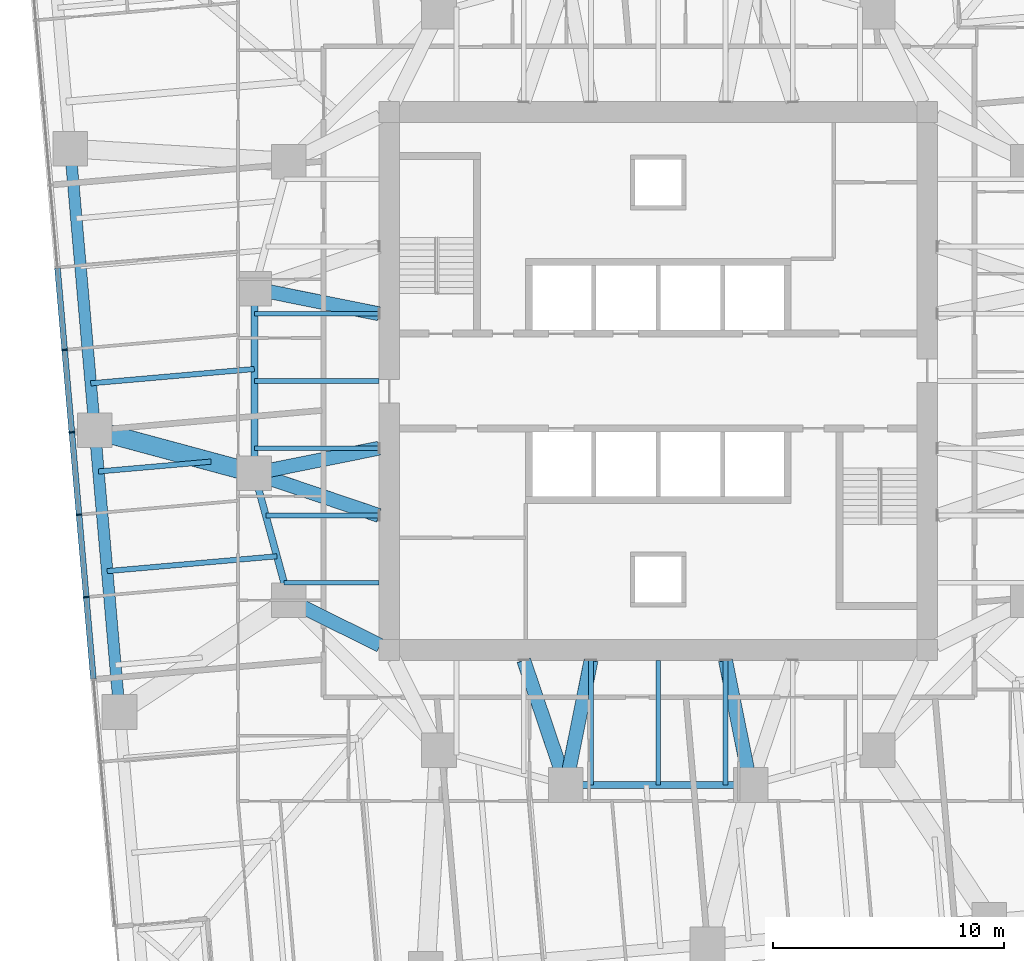
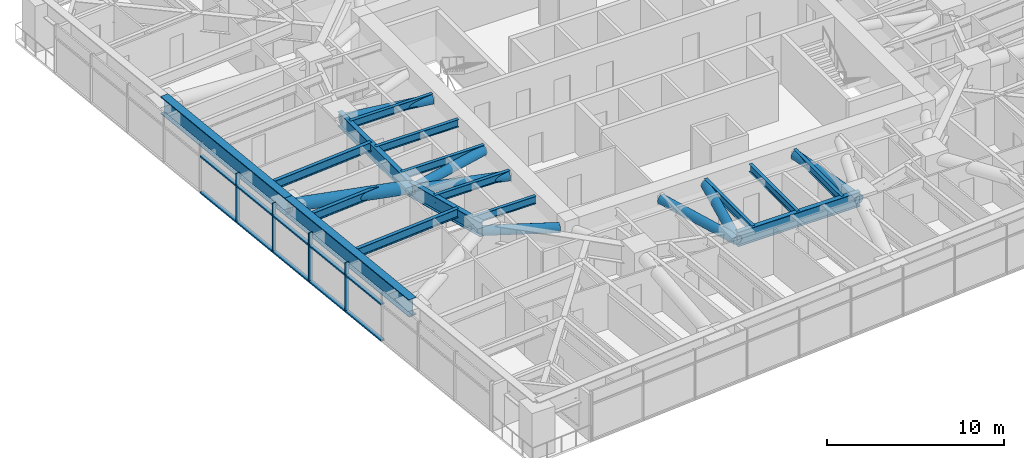
# One storey, part 3 of 18: 22 members, 16 beams, 1 element without a shape of its own.
"""IFC4 building model written with IfcOpenShell, lengths in metres."""

from ifc_helpers import new_model, si_unit, direction, frame, origin, origin_2d, place, context, subcontext, project, spatial, rectangle, hollow_circle, i_section, extrude, material, material_profile, profile_set, type_object, element, aggregate, save


model = new_model("IFC4")

# Units and contexts
model_context = context("Model", 3, precision=1e-05, world=origin(), true_north=direction((0.0, 1.0)))
body_context = subcontext(model_context, "Body", "Model", "MODEL_VIEW")
ifc_project = project(units=[si_unit("LENGTHUNIT", "METRE"), si_unit("AREAUNIT", "SQUARE_METRE"), si_unit("VOLUMEUNIT", "CUBIC_METRE"), si_unit("PLANEANGLEUNIT", "RADIAN"), si_unit("MASSUNIT", "GRAM", prefix="KILO")], contexts=[model_context])

# Site, building, storey
site_placement = place(None, origin())
site = spatial("IfcSite", under=ifc_project, at=site_placement, CompositionType="ELEMENT")
building_placement = place(site_placement, origin())
building = spatial("IfcBuilding", under=site, at=building_placement, Name="Torsade Residences", CompositionType="ELEMENT")
storey_placement = place(building_placement, frame((0.0, 0.0, 71.0)))
storey = spatial("IfcBuildingStorey", under=building, at=storey_placement, Name="L19", CompositionType="ELEMENT", Elevation=71.0)

# Curtain wall, members
ifc_material_1 = material(Name="Aluminium and glass", Category="aluminium")
curtain_wall_type = type_object("IfcCurtainWallType", Name="FRITTED GLASS CURTAIN WALL LOW ZONE", PredefinedType="NOTDEFINED", material=ifc_material_1)
curtain_wall_placement = place(storey_placement, origin())
curtain_wall = element("IfcCurtainWall", 1, at=curtain_wall_placement, inside=storey, type_object=curtain_wall_type, Name="Curtain wall L19 face 10", PredefinedType="NOTDEFINED")
ifc_material_2 = material(Name="Aluminium mullion", Category="aluminium")
ifc_material_profile_1 = material_profile(ifc_material_2, rectangle(XDim=0.25, YDim=0.06494140625, at=origin_2d()), Name="CURTAIN WALL MULLION 250x65")
ifc_profile_set_1 = profile_set([ifc_material_profile_1], Name="Aluminium mullion")
member_type_1 = type_object("IfcMemberType", Name="CURTAIN WALL MULLION 250x65", PredefinedType="MULLION", material=ifc_profile_set_1)
member_1_placement = place(storey_placement, frame((14.28466796875, 31.34716796875, 0.0), z_axis=(0.0, 0.0, 1.0), x_axis=(0.996194697964, 0.087155744208, 0.0)))
member_1 = element("IfcMember", 2, at=member_1_placement, type_object=member_type_1, Name="Mullion 6", PredefinedType="MULLION", context=body_context, shape_type="SweptSolid", body=[
    extrude(rectangle(XDim=0.25, YDim=0.06494140625, at=origin_2d()), origin(), (0.0, 0.0, 1.0), 3.39990234375),
])
member_2_placement = place(storey_placement, frame((14.596923828125, 27.777587890625, 0.0), z_axis=(0.0, 0.0, 1.0), x_axis=(0.996194697964, 0.087155744208, 0.0)))
member_2 = element("IfcMember", 3, at=member_2_placement, type_object=member_type_1, Name="Mullion 7", PredefinedType="MULLION", context=body_context, shape_type="SweptSolid", body=[
    extrude(rectangle(XDim=0.25, YDim=0.06494140625, at=origin_2d()), origin(), (0.0, 0.0, 1.0), 3.39990234375),
])
member_3_placement = place(storey_placement, frame((14.909423828125, 24.207763671875, 0.0), z_axis=(0.0, 0.0, 1.0), x_axis=(0.996194697964, 0.087155744208, 0.0)))
member_3 = element("IfcMember", 4, at=member_3_placement, type_object=member_type_1, Name="Mullion 8", PredefinedType="MULLION", context=body_context, shape_type="SweptSolid", body=[
    extrude(rectangle(XDim=0.25, YDim=0.06494140625, at=origin_2d()), origin(), (0.0, 0.0, 1.0), 3.39990234375),
])
member_4_placement = place(storey_placement, frame((15.2216796875, 20.63818359375, 0.0), z_axis=(0.0, 0.0, 1.0), x_axis=(0.996194697964, 0.087155744208, 0.0)))
member_4 = element("IfcMember", 5, at=member_4_placement, type_object=member_type_1, Name="Mullion 9", PredefinedType="MULLION", context=body_context, shape_type="SweptSolid", body=[
    extrude(rectangle(XDim=0.25, YDim=0.06494140625, at=origin_2d()), origin(), (0.0, 0.0, 1.0), 3.39990234375),
])
ifc_material_3 = material(Name="Aluminium transom", Category="aluminium")
ifc_material_profile_2 = material_profile(ifc_material_3, rectangle(XDim=0.25, YDim=0.10009765625, at=origin_2d()), Name="CURTAIN WALL TRANSOM 250x100")
ifc_profile_set_2 = profile_set([ifc_material_profile_2], Name="Aluminium transom")
member_type_2 = type_object("IfcMemberType", Name="CURTAIN WALL TRANSOM 250x100", PredefinedType="USERDEFINED", material=ifc_profile_set_2)
member_5_placement = place(storey_placement, frame((13.975341796875, 34.884521484375, 0.050048828125), z_axis=(0.087156620531, -0.996194621295, 0.0), x_axis=(0.996194621295, 0.087156620531, 0.0)))
member_5 = element("IfcMember", 6, at=member_5_placement, type_object=member_type_2, Name="Transom 5.1", ObjectType="TRANSOM", PredefinedType="USERDEFINED", context=body_context, shape_type="SweptSolid", body=[
    extrude(rectangle(XDim=0.25, YDim=0.10009765625, at=origin_2d()), origin(), (0.0, 0.0, 1.0), 3.518310546875),
])
member_6_placement = place(storey_placement, frame((13.975341796875, 34.884521484375, 2.550048828125), z_axis=(0.087156620531, -0.996194621295, 0.0), x_axis=(0.996194621295, 0.087156620531, 0.0)))
member_6 = element("IfcMember", 7, at=member_6_placement, type_object=member_type_2, Name="Transom 5.2", ObjectType="TRANSOM", PredefinedType="USERDEFINED", context=body_context, shape_type="SweptSolid", body=[
    extrude(rectangle(XDim=0.25, YDim=0.10009765625, at=origin_2d()), origin(), (0.0, 0.0, 1.0), 3.518310546875),
])
member_7_placement = place(storey_placement, frame((14.28759765625, 31.31494140625, 0.050048828125), z_axis=(0.08715059597, -0.996195148363, 0.0), x_axis=(0.996195148363, 0.08715059597, 0.0)))
member_7 = element("IfcMember", 8, at=member_7_placement, type_object=member_type_2, Name="Transom 6.1", ObjectType="TRANSOM", PredefinedType="USERDEFINED", context=body_context, shape_type="SweptSolid", body=[
    extrude(rectangle(XDim=0.25, YDim=0.10009765625, at=origin_2d()), origin(), (0.0, 0.0, 1.0), 3.5185546875),
])
member_8_placement = place(storey_placement, frame((14.28759765625, 31.31494140625, 2.550048828125), z_axis=(0.08715059597, -0.996195148363, 0.0), x_axis=(0.996195148363, 0.08715059597, 0.0)))
member_8 = element("IfcMember", 9, at=member_8_placement, type_object=member_type_2, Name="Transom 6.2", ObjectType="TRANSOM", PredefinedType="USERDEFINED", context=body_context, shape_type="SweptSolid", body=[
    extrude(rectangle(XDim=0.25, YDim=0.10009765625, at=origin_2d()), origin(), (0.0, 0.0, 1.0), 3.5185546875),
])
member_9_placement = place(storey_placement, frame((14.599853515625, 27.7451171875, 0.050048828125), z_axis=(0.087156620531, -0.996194621295, 0.0), x_axis=(0.996194621295, 0.087156620531, 0.0)))
member_9 = element("IfcMember", 10, at=member_9_placement, type_object=member_type_2, Name="Transom 7.1", ObjectType="TRANSOM", PredefinedType="USERDEFINED", context=body_context, shape_type="SweptSolid", body=[
    extrude(rectangle(XDim=0.25, YDim=0.10009765625, at=origin_2d()), origin(), (0.0, 0.0, 1.0), 3.518310546875),
])
member_10_placement = place(storey_placement, frame((14.599853515625, 27.7451171875, 2.550048828125), z_axis=(0.087156620531, -0.996194621295, 0.0), x_axis=(0.996194621295, 0.087156620531, 0.0)))
member_10 = element("IfcMember", 11, at=member_10_placement, type_object=member_type_2, Name="Transom 7.2", ObjectType="TRANSOM", PredefinedType="USERDEFINED", context=body_context, shape_type="SweptSolid", body=[
    extrude(rectangle(XDim=0.25, YDim=0.10009765625, at=origin_2d()), origin(), (0.0, 0.0, 1.0), 3.518310546875),
])
member_11_placement = place(storey_placement, frame((14.912109375, 24.175537109375, 0.050048828125), z_axis=(0.08715059597, -0.996195148363, 0.0), x_axis=(0.996195148363, 0.08715059597, 0.0)))
member_11 = element("IfcMember", 12, at=member_11_placement, type_object=member_type_2, Name="Transom 8.1", ObjectType="TRANSOM", PredefinedType="USERDEFINED", context=body_context, shape_type="SweptSolid", body=[
    extrude(rectangle(XDim=0.25, YDim=0.10009765625, at=origin_2d()), origin(), (0.0, 0.0, 1.0), 3.5185546875),
])
member_12_placement = place(storey_placement, frame((14.912109375, 24.175537109375, 2.550048828125), z_axis=(0.08715059597, -0.996195148363, 0.0), x_axis=(0.996195148363, 0.08715059597, 0.0)))
member_12 = element("IfcMember", 13, at=member_12_placement, type_object=member_type_2, Name="Transom 8.2", ObjectType="TRANSOM", PredefinedType="USERDEFINED", context=body_context, shape_type="SweptSolid", body=[
    extrude(rectangle(XDim=0.25, YDim=0.10009765625, at=origin_2d()), origin(), (0.0, 0.0, 1.0), 3.5185546875),
])
member_13_placement = place(storey_placement, frame((15.224365234375, 20.605712890625, 0.050048828125), z_axis=(0.087156620531, -0.996194621295, 0.0), x_axis=(0.996194621295, 0.087156620531, 0.0)))
member_13 = element("IfcMember", 14, at=member_13_placement, type_object=member_type_2, Name="Transom 9.1", ObjectType="TRANSOM", PredefinedType="USERDEFINED", context=body_context, shape_type="SweptSolid", body=[
    extrude(rectangle(XDim=0.25, YDim=0.10009765625, at=origin_2d()), origin(), (0.0, 0.0, 1.0), 3.518310546875),
])
member_14_placement = place(storey_placement, frame((15.224365234375, 20.605712890625, 2.550048828125), z_axis=(0.087156620531, -0.996194621295, 0.0), x_axis=(0.996194621295, 0.087156620531, 0.0)))
member_14 = element("IfcMember", 15, at=member_14_placement, type_object=member_type_2, Name="Transom 9.2", ObjectType="TRANSOM", PredefinedType="USERDEFINED", context=body_context, shape_type="SweptSolid", body=[
    extrude(rectangle(XDim=0.25, YDim=0.10009765625, at=origin_2d()), origin(), (0.0, 0.0, 1.0), 3.518310546875),
])
aggregate(curtain_wall, [member_1, member_2, member_3, member_4, member_5, member_6, member_7, member_8, member_9, member_10, member_11, member_12, member_13, member_14])

# Beams
ifc_material_4 = material(Name="Steel grade 300", Category="steel")
ifc_material_profile_3 = material_profile(ifc_material_4, i_section(OverallWidth=0.208984375, OverallDepth=0.528076171875, WebThickness=0.009521484375, FlangeThickness=0.01318359375, FilletRadius=0.013916015625, at=origin_2d()), Name="530UB82.0")
ifc_profile_set_3 = profile_set([ifc_material_profile_3], Name="Steel grade 300")
beam_type_1 = type_object("IfcBeamType", Name="INNER FLOOR BEAM 530UB82.0", PredefinedType="JOIST", material=ifc_profile_set_3)
for number, where, z_axis, x_axis, name in (
    (16, (42.91259765625, 17.89990234375, 2.93603515625), (0.0, -1.0, 0.0), (1.0, 0.0, 0.0), "Inner floor beam IS03 L20"),
    (17, (40.0, 17.89990234375, 2.93603515625), (0.0, -1.0, 0.0), (1.0, 0.0, 0.0), "Inner floor beam IS04 L20"),
    (18, (37.08740234375, 17.89990234375, 2.93603515625), (0.0, -1.0, 0.0), (1.0, 0.0, 0.0), "Inner floor beam IS05 L20"),
    (19, (27.89990234375, 32.91259765625, 2.93603515625), (-1.0, 0.0, 0.0), (0.0, -1.0, 0.0), "Inner floor beam IW03 L20"),
    (20, (27.89990234375, 30.0, 2.93603515625), (-1.0, 0.0, 0.0), (0.0, -1.0, 0.0), "Inner floor beam IW04 L20"),
    (21, (27.89990234375, 27.08740234375, 2.93603515625), (-1.0, 0.0, 0.0), (0.0, -1.0, 0.0), "Inner floor beam IW05 L20"),
):
    element("IfcBeam", number, at=place(storey_placement, frame(where, z_axis=z_axis, x_axis=x_axis)), inside=storey, type_object=beam_type_1, Name=name, PredefinedType="JOIST", context=body_context, shape_type="SweptSolid", body=[
        extrude(i_section(OverallWidth=0.208984375, OverallDepth=0.528076171875, WebThickness=0.009521484375, FlangeThickness=0.01318359375, FilletRadius=0.013916015625, at=origin_2d()), origin(), (0.0, 0.0, 1.0), 5.39990234375),
    ])
beam_1_placement = place(storey_placement, frame((27.89990234375, 24.175048828125, 2.93603515625), z_axis=(-1.0, 0.0, 0.0), x_axis=(0.0, -1.0, 0.0)))
element("IfcBeam", 22, at=beam_1_placement, inside=storey, type_object=beam_type_1, Name="Inner floor beam IW06 L20", PredefinedType="JOIST", context=body_context, shape_type="SweptSolid", body=[
    extrude(i_section(OverallWidth=0.208984375, OverallDepth=0.528076171875, WebThickness=0.009521484375, FlangeThickness=0.01318359375, FilletRadius=0.013916015625, at=origin_2d()), origin(), (0.0, 0.0, 1.0), 4.902099609375),
])
beam_2_placement = place(storey_placement, frame((27.89990234375, 21.262451171875, 2.93603515625), z_axis=(-1.0, 0.0, 0.0), x_axis=(0.0, -1.0, 0.0)))
element("IfcBeam", 23, at=beam_2_placement, inside=storey, type_object=beam_type_1, Name="Inner floor beam IW07 L20", PredefinedType="JOIST", context=body_context, shape_type="SweptSolid", body=[
    extrude(i_section(OverallWidth=0.208984375, OverallDepth=0.528076171875, WebThickness=0.009521484375, FlangeThickness=0.01318359375, FilletRadius=0.013916015625, at=origin_2d()), origin(), (0.0, 0.0, 1.0), 4.10791015625),
])
ifc_material_5 = material(Name="Steel grade 300", Category="steel")
ifc_material_profile_4 = material_profile(ifc_material_5, i_section(OverallWidth=0.300048828125, OverallDepth=1.0, WebThickness=0.01611328125, FlangeThickness=0.028076171875, at=origin_2d()), Name="1000WB215")
ifc_profile_set_4 = profile_set([ifc_material_profile_4], Name="Steel grade 300")
beam_type_2 = type_object("IfcBeamType", Name="RING GIRDER 1000WB215", PredefinedType="BEAM", material=ifc_profile_set_4)
beam_3_placement = place(storey_placement, frame((22.5, 34.0, 2.699951171875), z_axis=(0.0, -1.0, 0.0), x_axis=(1.0, 0.0, 0.0)))
element("IfcBeam", 24, at=beam_3_placement, inside=storey, type_object=beam_type_2, Name="Ring girder IR09 L20", PredefinedType="BEAM", context=body_context, shape_type="SweptSolid", body=[
    extrude(i_section(OverallWidth=0.300048828125, OverallDepth=1.0, WebThickness=0.01611328125, FlangeThickness=0.028076171875, at=origin_2d()), origin(), (0.0, 0.0, 1.0), 8.0),
])
beam_4_placement = place(storey_placement, frame((22.5, 26.0, 2.699951171875), z_axis=(0.263117405792, -0.964763821238, 0.0), x_axis=(0.964763821238, 0.263117405792, 0.0)))
element("IfcBeam", 25, at=beam_4_placement, inside=storey, type_object=beam_type_2, Name="Ring girder IR10 L20", PredefinedType="BEAM", context=body_context, shape_type="SweptSolid", body=[
    extrude(i_section(OverallWidth=0.300048828125, OverallDepth=1.0, WebThickness=0.01611328125, FlangeThickness=0.028076171875, at=origin_2d()), origin(), (0.0, 0.0, 1.0), 5.700927734375),
])
beam_5_placement = place(storey_placement, frame((36.0, 12.5, 2.699951171875), z_axis=(1.0, 0.0, 0.0), x_axis=(0.0, 1.0, 0.0)))
element("IfcBeam", 26, at=beam_5_placement, inside=storey, type_object=beam_type_2, Name="Ring girder IR13 L20", PredefinedType="BEAM", context=body_context, shape_type="SweptSolid", body=[
    extrude(i_section(OverallWidth=0.300048828125, OverallDepth=1.0, WebThickness=0.01611328125, FlangeThickness=0.028076171875, at=origin_2d()), origin(), (0.0, 0.0, 1.0), 8.0),
])
ifc_material_6 = material(Name="Steel grade 300", Category="steel")
ifc_material_profile_5 = material_profile(ifc_material_6, i_section(OverallWidth=0.22900390625, OverallDepth=0.612060546875, WebThickness=0.011962890625, FlangeThickness=0.01953125, FilletRadius=0.013916015625, at=origin_2d()), Name="610UB125")
ifc_profile_set_5 = profile_set([ifc_material_profile_5], Name="Steel grade 300")
beam_type_3 = type_object("IfcBeamType", Name="SECONDARY BEAM 610UB125", PredefinedType="JOIST", material=ifc_profile_set_5)
beam_6_placement = place(storey_placement, frame((15.415283203125, 29.898681640625, 2.89404296875), z_axis=(0.996197182094, 0.087127345813, 0.0), x_axis=(-0.087127345813, 0.996197182094, 0.0)))
element("IfcBeam", 27, at=beam_6_placement, inside=storey, type_object=beam_type_3, Name="Floor beam FW06 L20", PredefinedType="JOIST", context=body_context, shape_type="SweptSolid", body=[
    extrude(i_section(OverallWidth=0.22900390625, OverallDepth=0.612060546875, WebThickness=0.011962890625, FlangeThickness=0.01953125, FilletRadius=0.013916015625, at=origin_2d()), origin(), (0.0, 0.0, 1.0), 7.11181640625),
])
beam_7_placement = place(storey_placement, frame((15.749267578125, 26.079833984375, 2.89404296875), z_axis=(0.996194962831, 0.087152716714, 0.0), x_axis=(-0.087152716714, 0.996194962831, 0.0)))
element("IfcBeam", 28, at=beam_7_placement, inside=storey, type_object=beam_type_3, Name="Floor beam FW07 L20", PredefinedType="JOIST", context=body_context, shape_type="SweptSolid", body=[
    extrude(i_section(OverallWidth=0.22900390625, OverallDepth=0.612060546875, WebThickness=0.011962890625, FlangeThickness=0.01953125, FilletRadius=0.013916015625, at=origin_2d()), origin(), (0.0, 0.0, 1.0), 4.893798828125),
])
beam_8_placement = place(storey_placement, frame((16.126953125, 21.762939453125, 2.89404296875), z_axis=(0.996194650902, 0.087156282128, 0.0), x_axis=(-0.087156282128, 0.996194650902, 0.0)))
element("IfcBeam", 29, at=beam_8_placement, inside=storey, type_object=beam_type_3, Name="Floor beam FW08 L20", PredefinedType="JOIST", context=body_context, shape_type="SweptSolid", body=[
    extrude(i_section(OverallWidth=0.22900390625, OverallDepth=0.612060546875, WebThickness=0.011962890625, FlangeThickness=0.01953125, FilletRadius=0.013916015625, at=origin_2d()), origin(), (0.0, 0.0, 1.0), 7.381103515625),
])

# Members
ifc_material_7 = material(Name="Steel grade 450", Category="steel")
ifc_material_profile_6 = material_profile(ifc_material_7, hollow_circle(Radius=0.304931640625, WallThickness=0.01611328125, at=origin_2d()), Name="610.0x16.0CHS")
ifc_profile_set_6 = profile_set([ifc_material_profile_6], Name="Steel grade 450")
member_type_3 = type_object("IfcMemberType", Name="TRANSFER FLOOR BRACE 610.0x16.0CHS", PredefinedType="BRACE", material=ifc_profile_set_6)
for number, where, z_axis, x_axis, name in (
    (30, (22.5, 34.0, 2.60009765625), (0.97976354245, -0.197299340721, 0.033710102894), (0.197411538983, 0.980320704809, 0.0), "Transfer floor brace TT2 bottom IR09IW03"),
    (31, (22.5, 26.0, 2.60009765625), (0.97976354245, 0.197299340721, 0.033710102894), (-0.197411538983, 0.980320704809, 0.0), "Transfer floor brace TT2 bottom IR10IW05"),
):
    element("IfcMember", number, at=place(storey_placement, frame(where, z_axis=z_axis, x_axis=x_axis)), inside=storey, type_object=member_type_3, Name=name, PredefinedType="BRACE", context=body_context, shape_type="SweptSolid", body=[
        extrude(hollow_circle(Radius=0.304931640625, WallThickness=0.01611328125, at=origin_2d()), origin(), (0.0, 0.0, 1.0), 5.511474609375),
    ])
member_15_placement = place(storey_placement, frame((22.5, 26.0, 2.60009765625), z_axis=(0.946857291164, -0.319999920944, 0.032577918373), x_axis=(0.320169867513, 0.947360151124, 0.0)))
element("IfcMember", 32, at=member_15_placement, inside=storey, type_object=member_type_3, Name="Transfer floor brace TT2 bottom IR10IW06", PredefinedType="BRACE", context=body_context, shape_type="SweptSolid", body=[
    extrude(hollow_circle(Radius=0.304931640625, WallThickness=0.01611328125, at=origin_2d()), origin(), (0.0, 0.0, 1.0), 5.702880859375),
])
member_16_placement = place(storey_placement, frame((24.0, 20.5, 2.60009765625), z_axis=(0.896469701914, -0.443105036702, 0.0), x_axis=(0.443105036702, 0.896469701914, 0.0)))
element("IfcMember", 33, at=member_16_placement, inside=storey, type_object=member_type_3, Name="Transfer floor brace TT2 bottom IR11C", PredefinedType="BRACE", context=body_context, shape_type="SweptSolid", body=[
    extrude(hollow_circle(Radius=0.304931640625, WallThickness=0.01611328125, at=origin_2d()), origin(), (0.0, 0.0, 1.0), 4.40234375),
])
member_17_placement = place(storey_placement, frame((36.0, 12.5, 2.60009765625), z_axis=(0.197299340721, 0.97976354245, 0.033710102894), x_axis=(-0.980320704809, 0.197411538983, 0.0)))
element("IfcMember", 34, at=member_17_placement, inside=storey, type_object=member_type_3, Name="Transfer floor brace TT2 bottom IR13IS05", PredefinedType="BRACE", context=body_context, shape_type="SweptSolid", body=[
    extrude(hollow_circle(Radius=0.304931640625, WallThickness=0.01611328125, at=origin_2d()), origin(), (0.0, 0.0, 1.0), 5.511474609375),
])
member_18_placement = place(storey_placement, frame((36.0, 12.5, 2.60009765625), z_axis=(-0.319999920944, 0.946857291164, 0.032577918373), x_axis=(-0.947360151124, -0.320169867513, 0.0)))
element("IfcMember", 35, at=member_18_placement, inside=storey, type_object=member_type_3, Name="Transfer floor brace TT2 bottom IR13IS06", PredefinedType="BRACE", context=body_context, shape_type="SweptSolid", body=[
    extrude(hollow_circle(Radius=0.304931640625, WallThickness=0.01611328125, at=origin_2d()), origin(), (0.0, 0.0, 1.0), 5.702880859375),
])
member_19_placement = place(storey_placement, frame((44.0, 12.5, 2.60009765625), z_axis=(-0.197299340721, 0.97976354245, 0.033710102894), x_axis=(-0.980320704809, -0.197411538983, 0.0)))
element("IfcMember", 36, at=member_19_placement, inside=storey, type_object=member_type_3, Name="Transfer floor brace TT2 bottom IR14IS03", PredefinedType="BRACE", context=body_context, shape_type="SweptSolid", body=[
    extrude(hollow_circle(Radius=0.304931640625, WallThickness=0.01611328125, at=origin_2d()), origin(), (0.0, 0.0, 1.0), 5.511474609375),
])
ifc_material_8 = material(Name="Steel grade 450", Category="steel")
ifc_material_profile_7 = material_profile(ifc_material_8, hollow_circle(Radius=0.406494140625, WallThickness=0.02490234375, at=origin_2d()), Name="813.0x25.0CHS")
ifc_profile_set_7 = profile_set([ifc_material_profile_7], Name="Steel grade 450")
member_type_4 = type_object("IfcMemberType", Name="TRANSFER FLOOR STRUT 813.0x25.0CHS", PredefinedType="STRUT", material=ifc_profile_set_7)
member_20_placement = place(storey_placement, frame((15.59326171875, 27.86474609375, 2.800048828125), z_axis=(0.965431658918, -0.260656310032, 0.0), x_axis=(0.260656310032, 0.965431658918, 0.0)))
element("IfcMember", 37, at=member_20_placement, inside=storey, type_object=member_type_4, Name="Transfer floor strut TT2 bottom 15IR10", PredefinedType="STRUT", context=body_context, shape_type="SweptSolid", body=[
    extrude(hollow_circle(Radius=0.406494140625, WallThickness=0.02490234375, at=origin_2d()), origin(), (0.0, 0.0, 1.0), 7.154052734375),
])

# Beams
ifc_material_9 = material(Name="Steel grade 350", Category="steel")
ifc_material_profile_8 = material_profile(ifc_material_9, i_section(OverallWidth=0.5, OverallDepth=1.199951171875, WebThickness=0.035888671875, FlangeThickness=0.06005859375, at=origin_2d()), Name="1200x500x60x36WPG")
ifc_profile_set_8 = profile_set([ifc_material_profile_8], Name="Steel grade 350")
beam_type_4 = type_object("IfcBeamType", Name="TRANSFER TRUSS CHORD 1200x500x60x36WPG", PredefinedType="USERDEFINED", material=ifc_profile_set_8)
for number, where, z_axis, x_axis, name in (
    (38, (14.525634765625, 40.068115234375, 2.800048828125), (0.08715335259, -0.996194907201, 0.0), (0.996194907201, 0.08715335259, 0.0), "Transfer truss TT2 bottom chord 14"),
    (39, (15.59326171875, 27.86474609375, 2.800048828125), (0.08715335259, -0.996194907201, 0.0), (0.996194907201, 0.08715335259, 0.0), "Transfer truss TT2 bottom chord 15"),
):
    element("IfcBeam", number, at=place(storey_placement, frame(where, z_axis=z_axis, x_axis=x_axis)), inside=storey, type_object=beam_type_4, Name=name, ObjectType="TRANSFER TRUSS CHORD", PredefinedType="USERDEFINED", context=body_context, shape_type="SweptSolid", body=[
        extrude(i_section(OverallWidth=0.5, OverallDepth=1.199951171875, WebThickness=0.035888671875, FlangeThickness=0.06005859375, at=origin_2d()), origin(), (0.0, 0.0, 1.0), 12.25),
    ])

save(model, "model.ifc")
